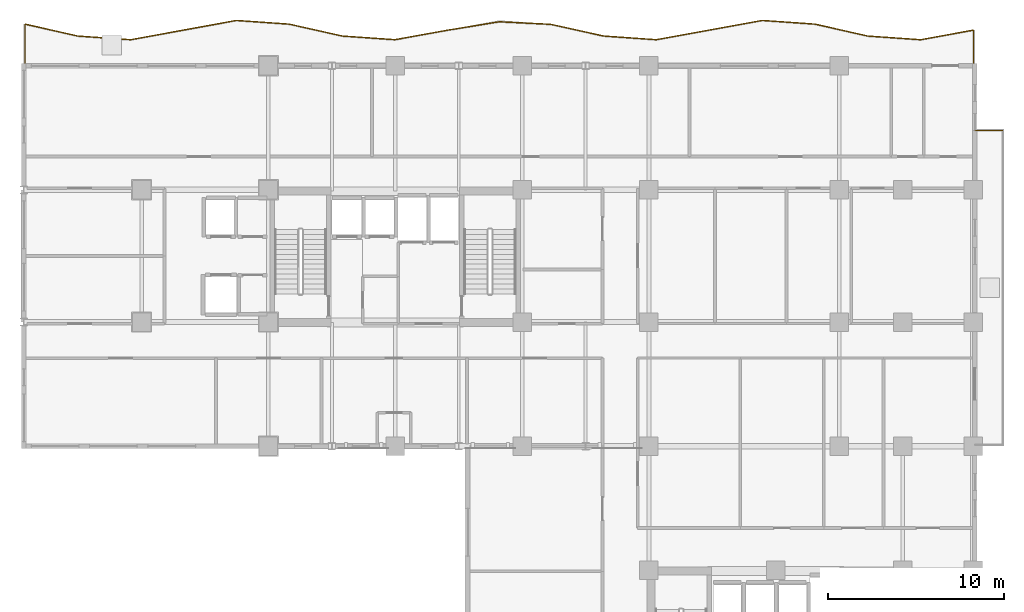
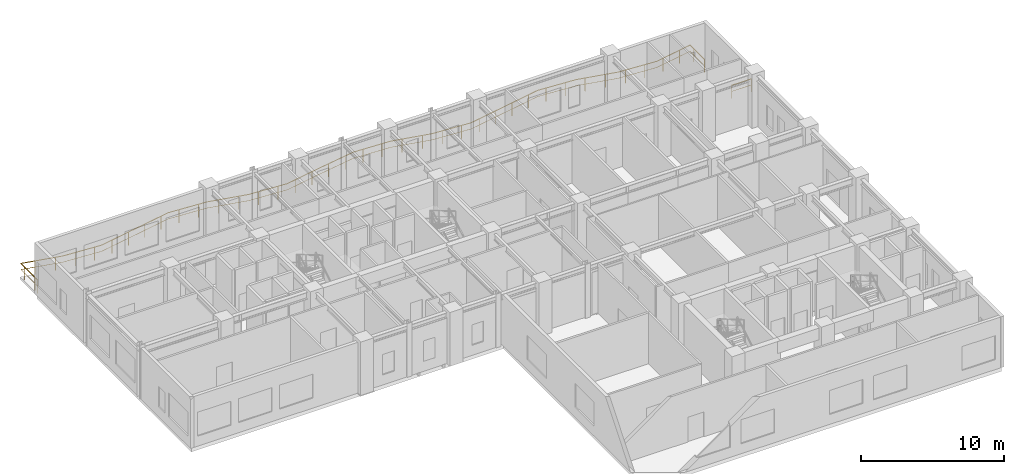
# One storey, part 14 of 14: 2 railings.
"""IFC4 building model written with IfcOpenShell, lengths in metres."""

from ifc_helpers import new_model, si_unit, direction, frame, origin, origin_2d, place, context, subcontext, project, spatial, rectangle, extrude, material, type_object, element, save


model = new_model("IFC4")

# Units and contexts
model_context = context("Model", 3, precision=1e-05, world=origin(), true_north=direction((0.0, 1.0)))
body_context = subcontext(model_context, "Body", "Model", "MODEL_VIEW")
ifc_project = project(units=[si_unit("LENGTHUNIT", "METRE"), si_unit("AREAUNIT", "SQUARE_METRE"), si_unit("VOLUMEUNIT", "CUBIC_METRE"), si_unit("PLANEANGLEUNIT", "RADIAN"), si_unit("MASSUNIT", "GRAM", prefix="KILO")], contexts=[model_context])

# Site, building, storey
site_placement = place(None, origin())
site = spatial("IfcSite", under=ifc_project, at=site_placement, CompositionType="ELEMENT")
building_placement = place(site_placement, origin())
building = spatial("IfcBuilding", under=site, at=building_placement, Name="Kaliganga Portal Commons", CompositionType="ELEMENT")
storey_placement = place(building_placement, frame((0.0, 0.0, 135.60009765625)))
storey = spatial("IfcBuildingStorey", under=building, at=storey_placement, Name="L34", CompositionType="ELEMENT", Elevation=135.60009765625)

# Railings
ifc_material = material(Name="Laminated Safety Glass and Stainless Steel 316", Category="steel")
railing_type = type_object("IfcRailingType", Name="RLG-BAL-1150", PredefinedType="BALUSTRADE", material=ifc_material)
railing_1_placement = place(storey_placement, frame((54.420166015625, 43.205322265625, 0.0)))
element("IfcRailing", 1, at=railing_1_placement, inside=storey, type_object=railing_type, Name="Balcony Guardrail L34 balc_north", PredefinedType="BALUSTRADE", context=body_context, shape_type="SweptSolid", body=[
    extrude(rectangle(XDim=0.048095703125, YDim=0.048095703125, at=origin_2d()), frame((0.0, 0.0, 1.1259765625), z_axis=(-0.00012112403, 0.999999992664, 0.0), x_axis=(-0.999999992664, -0.00012112403, 0.0)), (0.0, 0.0, 1.0), 2.015625),
    extrude(rectangle(XDim=0.028076171875, YDim=0.028076171875, at=origin_2d()), frame((0.0, 0.0, 0.597900390625), z_axis=(-0.00012112403, 0.999999992664, 0.0), x_axis=(-0.999999992664, -0.00012112403, 0.0)), (0.0, 0.0, 1.0), 2.015625),
    extrude(rectangle(XDim=0.048095703125, YDim=0.048095703125, at=origin_2d()), frame((-0.000244140625, 2.015625, 1.1259765625), z_axis=(-0.983688809577, -0.179878642181, 0.0), x_axis=(0.179878642181, -0.983688809577, 0.0)), (0.0, 0.0, 1.0), 3.0498046875),
    extrude(rectangle(XDim=0.028076171875, YDim=0.028076171875, at=origin_2d()), frame((-0.000244140625, 2.015625, 0.597900390625), z_axis=(-0.983688809577, -0.179878642181, 0.0), x_axis=(0.179878642181, -0.983688809577, 0.0)), (0.0, 0.0, 1.0), 3.0498046875),
    extrude(rectangle(XDim=0.048095703125, YDim=0.048095703125, at=origin_2d()), frame((-3.000244140625, 1.467041015625, 1.1259765625), z_axis=(-0.997571166828, 0.069654627371, 0.0), x_axis=(-0.069654627371, -0.997571166828, 0.0)), (0.0, 0.0, 1.0), 3.00732421875),
    extrude(rectangle(XDim=0.028076171875, YDim=0.028076171875, at=origin_2d()), frame((-3.000244140625, 1.467041015625, 0.597900390625), z_axis=(-0.997571166828, 0.069654627371, 0.0), x_axis=(-0.069654627371, -0.997571166828, 0.0)), (0.0, 0.0, 1.0), 3.00732421875),
    extrude(rectangle(XDim=0.048095703125, YDim=0.048095703125, at=origin_2d()), frame((-6.000244140625, 1.676513671875, 1.1259765625), z_axis=(-0.975453104473, 0.220207268214, 0.0), x_axis=(-0.220207268214, -0.975453104473, 0.0)), (0.0, 0.0, 1.0), 3.075439453125),
    extrude(rectangle(XDim=0.028076171875, YDim=0.028076171875, at=origin_2d()), frame((-6.000244140625, 1.676513671875, 0.597900390625), z_axis=(-0.975453104473, 0.220207268214, 0.0), x_axis=(-0.220207268214, -0.975453104473, 0.0)), (0.0, 0.0, 1.0), 3.075439453125),
    extrude(rectangle(XDim=0.048095703125, YDim=0.048095703125, at=origin_2d()), frame((-9.000244140625, 2.353759765625, 1.1259765625), z_axis=(-0.997593288727, 0.069337077283, 0.0), x_axis=(-0.069337077283, -0.997593288727, 0.0)), (0.0, 0.0, 1.0), 3.007080078125),
    extrude(rectangle(XDim=0.028076171875, YDim=0.028076171875, at=origin_2d()), frame((-9.000244140625, 2.353759765625, 0.597900390625), z_axis=(-0.997593288727, 0.069337077283, 0.0), x_axis=(-0.069337077283, -0.997593288727, 0.0)), (0.0, 0.0, 1.0), 3.007080078125),
    extrude(rectangle(XDim=0.048095703125, YDim=0.048095703125, at=origin_2d()), frame((-12.0, 2.562255859375, 1.1259765625), z_axis=(-0.98374800482, -0.179554624039, 0.0), x_axis=(0.179554624039, -0.98374800482, 0.0)), (0.0, 0.0, 1.0), 3.0498046875),
    extrude(rectangle(XDim=0.028076171875, YDim=0.028076171875, at=origin_2d()), frame((-12.0, 2.562255859375, 0.597900390625), z_axis=(-0.98374800482, -0.179554624039, 0.0), x_axis=(0.179554624039, -0.98374800482, 0.0)), (0.0, 0.0, 1.0), 3.0498046875),
    extrude(rectangle(XDim=0.048095703125, YDim=0.048095703125, at=origin_2d()), frame((-15.000244140625, 2.0146484375, 1.1259765625), z_axis=(-0.983841712628, -0.179040454907, 0.0), x_axis=(0.179040454907, -0.983841712628, 0.0)), (0.0, 0.0, 1.0), 3.049072265625),
    extrude(rectangle(XDim=0.028076171875, YDim=0.028076171875, at=origin_2d()), frame((-15.000244140625, 2.0146484375, 0.597900390625), z_axis=(-0.983841712628, -0.179040454907, 0.0), x_axis=(0.179040454907, -0.983841712628, 0.0)), (0.0, 0.0, 1.0), 3.049072265625),
    extrude(rectangle(XDim=0.048095703125, YDim=0.048095703125, at=origin_2d()), frame((-18.0, 1.46875, 1.1259765625), z_axis=(-0.997582827891, 0.069487419699, 0.0), x_axis=(-0.069487419699, -0.997582827891, 0.0)), (0.0, 0.0, 1.0), 3.007568359375),
    extrude(rectangle(XDim=0.028076171875, YDim=0.028076171875, at=origin_2d()), frame((-18.0, 1.46875, 0.597900390625), z_axis=(-0.997582827891, 0.069487419699, 0.0), x_axis=(-0.069487419699, -0.997582827891, 0.0)), (0.0, 0.0, 1.0), 3.007568359375),
    extrude(rectangle(XDim=0.048095703125, YDim=0.048095703125, at=origin_2d()), frame((-21.000244140625, 1.677734375, 1.1259765625), z_axis=(-0.976360700645, 0.216147593637, 0.0), x_axis=(-0.216147593637, -0.976360700645, 0.0)), (0.0, 0.0, 1.0), 3.071044921875),
    extrude(rectangle(XDim=0.028076171875, YDim=0.028076171875, at=origin_2d()), frame((-21.000244140625, 1.677734375, 0.597900390625), z_axis=(-0.976360700645, 0.216147593637, 0.0), x_axis=(-0.216147593637, -0.976360700645, 0.0)), (0.0, 0.0, 1.0), 3.071044921875),
    extrude(rectangle(XDim=0.048095703125, YDim=0.048095703125, at=origin_2d()), frame((-23.998779296875, 2.341552734375, 1.1259765625), z_axis=(-0.998774305171, 0.049496336534, 0.0), x_axis=(-0.049496336534, -0.998774305171, 0.0)), (0.0, 0.0, 1.0), 2.925048828125),
    extrude(rectangle(XDim=0.028076171875, YDim=0.028076171875, at=origin_2d()), frame((-23.998779296875, 2.341552734375, 0.597900390625), z_axis=(-0.998774305171, 0.049496336534, 0.0), x_axis=(-0.049496336534, -0.998774305171, 0.0)), (0.0, 0.0, 1.0), 2.925048828125),
    extrude(rectangle(XDim=0.048095703125, YDim=0.048095703125, at=origin_2d()), frame((-26.920166015625, 2.486328125, 1.1259765625), z_axis=(-0.986982912244, -0.160825156422, 0.0), x_axis=(0.160825156422, -0.986982912244, 0.0)), (0.0, 0.0, 1.0), 2.958740234375),
    extrude(rectangle(XDim=0.028076171875, YDim=0.028076171875, at=origin_2d()), frame((-26.920166015625, 2.486328125, 0.597900390625), z_axis=(-0.986982912244, -0.160825156422, 0.0), x_axis=(0.160825156422, -0.986982912244, 0.0)), (0.0, 0.0, 1.0), 2.958740234375),
    extrude(rectangle(XDim=0.048095703125, YDim=0.048095703125, at=origin_2d()), frame((-29.84033203125, 2.010498046875, 1.1259765625), z_axis=(-0.984167121533, -0.177242988277, 0.0), x_axis=(0.177242988277, -0.984167121533, 0.0)), (0.0, 0.0, 1.0), 3.04833984375),
    extrude(rectangle(XDim=0.028076171875, YDim=0.028076171875, at=origin_2d()), frame((-29.84033203125, 2.010498046875, 0.597900390625), z_axis=(-0.984167121533, -0.177242988277, 0.0), x_axis=(0.177242988277, -0.984167121533, 0.0)), (0.0, 0.0, 1.0), 3.04833984375),
    extrude(rectangle(XDim=0.048095703125, YDim=0.048095703125, at=origin_2d()), frame((-32.84033203125, 1.47021484375, 1.1259765625), z_axis=(-0.997626868023, 0.06885224905, 0.0), x_axis=(-0.06885224905, -0.997626868023, 0.0)), (0.0, 0.0, 1.0), 3.0068359375),
    extrude(rectangle(XDim=0.028076171875, YDim=0.028076171875, at=origin_2d()), frame((-32.84033203125, 1.47021484375, 0.597900390625), z_axis=(-0.997626868023, 0.06885224905, 0.0), x_axis=(-0.06885224905, -0.997626868023, 0.0)), (0.0, 0.0, 1.0), 3.0068359375),
    extrude(rectangle(XDim=0.048095703125, YDim=0.048095703125, at=origin_2d()), frame((-35.840087890625, 1.67724609375, 1.1259765625), z_axis=(-0.975593176863, 0.219585867622, 0.0), x_axis=(-0.219585867622, -0.975593176863, 0.0)), (0.0, 0.0, 1.0), 3.0751953125),
    extrude(rectangle(XDim=0.028076171875, YDim=0.028076171875, at=origin_2d()), frame((-35.840087890625, 1.67724609375, 0.597900390625), z_axis=(-0.975593176863, 0.219585867622, 0.0), x_axis=(-0.219585867622, -0.975593176863, 0.0)), (0.0, 0.0, 1.0), 3.0751953125),
    extrude(rectangle(XDim=0.048095703125, YDim=0.048095703125, at=origin_2d()), frame((-38.84033203125, 2.3525390625, 1.1259765625), z_axis=(-0.997565522582, 0.069735415356, 0.0), x_axis=(-0.069735415356, -0.997565522582, 0.0)), (0.0, 0.0, 1.0), 3.00732421875),
    extrude(rectangle(XDim=0.028076171875, YDim=0.028076171875, at=origin_2d()), frame((-38.84033203125, 2.3525390625, 0.597900390625), z_axis=(-0.997565522582, 0.069735415356, 0.0), x_axis=(-0.069735415356, -0.997565522582, 0.0)), (0.0, 0.0, 1.0), 3.00732421875),
    extrude(rectangle(XDim=0.048095703125, YDim=0.048095703125, at=origin_2d()), frame((-41.84033203125, 2.562255859375, 1.1259765625), z_axis=(-0.983771119189, -0.179427938317, 0.0), x_axis=(0.179427938317, -0.983771119189, 0.0)), (0.0, 0.0, 1.0), 3.04931640625),
    extrude(rectangle(XDim=0.028076171875, YDim=0.028076171875, at=origin_2d()), frame((-41.84033203125, 2.562255859375, 0.597900390625), z_axis=(-0.983771119189, -0.179427938317, 0.0), x_axis=(0.179427938317, -0.983771119189, 0.0)), (0.0, 0.0, 1.0), 3.04931640625),
    extrude(rectangle(XDim=0.048095703125, YDim=0.048095703125, at=origin_2d()), frame((-44.840087890625, 2.01513671875, 1.1259765625), z_axis=(-0.983731278693, -0.179646239371, 0.0), x_axis=(0.179646239371, -0.983731278693, 0.0)), (0.0, 0.0, 1.0), 3.049560546875),
    extrude(rectangle(XDim=0.028076171875, YDim=0.028076171875, at=origin_2d()), frame((-44.840087890625, 2.01513671875, 0.597900390625), z_axis=(-0.983731278693, -0.179646239371, 0.0), x_axis=(0.179646239371, -0.983731278693, 0.0)), (0.0, 0.0, 1.0), 3.049560546875),
    extrude(rectangle(XDim=0.048095703125, YDim=0.048095703125, at=origin_2d()), frame((-47.840087890625, 1.46728515625, 1.1259765625), z_axis=(-0.997576804594, 0.069573838016, 0.0), x_axis=(-0.069573838016, -0.997576804594, 0.0)), (0.0, 0.0, 1.0), 3.00732421875),
    extrude(rectangle(XDim=0.028076171875, YDim=0.028076171875, at=origin_2d()), frame((-47.840087890625, 1.46728515625, 0.597900390625), z_axis=(-0.997576804594, 0.069573838016, 0.0), x_axis=(-0.069573838016, -0.997576804594, 0.0)), (0.0, 0.0, 1.0), 3.00732421875),
    extrude(rectangle(XDim=0.048095703125, YDim=0.048095703125, at=origin_2d()), frame((-50.840087890625, 1.676513671875, 1.1259765625), z_axis=(-0.975401926264, 0.220433850035, 0.0), x_axis=(-0.220433850035, -0.975401926264, 0.0)), (0.0, 0.0, 1.0), 3.07568359375),
    extrude(rectangle(XDim=0.028076171875, YDim=0.028076171875, at=origin_2d()), frame((-50.840087890625, 1.676513671875, 0.597900390625), z_axis=(-0.975401926264, 0.220433850035, 0.0), x_axis=(-0.220433850035, -0.975401926264, 0.0)), (0.0, 0.0, 1.0), 3.07568359375),
    extrude(rectangle(XDim=0.048095703125, YDim=0.048095703125, at=origin_2d()), frame((-53.840087890625, 2.3544921875, 1.1259765625), z_axis=(-0.000103691414, -0.999999994624, 0.0), x_axis=(0.999999994624, -0.000103691414, 0.0)), (0.0, 0.0, 1.0), 2.3544921875),
    extrude(rectangle(XDim=0.028076171875, YDim=0.028076171875, at=origin_2d()), frame((-53.840087890625, 2.3544921875, 0.597900390625), z_axis=(-0.000103691414, -0.999999994624, 0.0), x_axis=(0.999999994624, -0.000103691414, 0.0)), (0.0, 0.0, 1.0), 2.3544921875),
    extrude(rectangle(XDim=0.0419921875, YDim=0.0419921875, at=origin_2d()), origin(), (0.0, 0.0, 1.0), 1.101806640625),
    extrude(rectangle(XDim=0.0419921875, YDim=0.0419921875, at=origin_2d()), frame((-0.000244140625, 1.5, 0.0)), (0.0, 0.0, 1.0), 1.101806640625),
    extrude(rectangle(XDim=0.0419921875, YDim=0.0419921875, at=origin_2d()), frame((-0.968505859375, 1.838623046875, 0.0)), (0.0, 0.0, 1.0), 1.101806640625),
    extrude(rectangle(XDim=0.0419921875, YDim=0.0419921875, at=origin_2d()), frame((-2.444091796875, 1.56884765625, 0.0)), (0.0, 0.0, 1.0), 1.101806640625),
    extrude(rectangle(XDim=0.0419921875, YDim=0.0419921875, at=origin_2d()), frame((-3.9326171875, 1.5322265625, 0.0)), (0.0, 0.0, 1.0), 1.101806640625),
    extrude(rectangle(XDim=0.0419921875, YDim=0.0419921875, at=origin_2d()), frame((-5.428955078125, 1.63671875, 0.0)), (0.0, 0.0, 1.0), 1.101806640625),
    extrude(rectangle(XDim=0.0419921875, YDim=0.0419921875, at=origin_2d()), frame((-6.90478515625, 1.880615234375, 0.0)), (0.0, 0.0, 1.0), 1.101806640625),
    extrude(rectangle(XDim=0.0419921875, YDim=0.0419921875, at=origin_2d()), frame((-8.367919921875, 2.2109375, 0.0)), (0.0, 0.0, 1.0), 1.101806640625),
    extrude(rectangle(XDim=0.0419921875, YDim=0.0419921875, at=origin_2d()), frame((-9.85009765625, 2.412841796875, 0.0)), (0.0, 0.0, 1.0), 1.101806640625),
    extrude(rectangle(XDim=0.0419921875, YDim=0.0419921875, at=origin_2d()), frame((-11.346435546875, 2.516845703125, 0.0)), (0.0, 0.0, 1.0), 1.101806640625),
    extrude(rectangle(XDim=0.0419921875, YDim=0.0419921875, at=origin_2d()), frame((-12.8310546875, 2.41064453125, 0.0)), (0.0, 0.0, 1.0), 1.101806640625),
    extrude(rectangle(XDim=0.0419921875, YDim=0.0419921875, at=origin_2d()), frame((-14.306640625, 2.14111328125, 0.0)), (0.0, 0.0, 1.0), 1.101806640625),
    extrude(rectangle(XDim=0.0419921875, YDim=0.0419921875, at=origin_2d()), frame((-15.782470703125, 1.872314453125, 0.0)), (0.0, 0.0, 1.0), 1.101806640625),
    extrude(rectangle(XDim=0.0419921875, YDim=0.0419921875, at=origin_2d()), frame((-17.25830078125, 1.603759765625, 0.0)), (0.0, 0.0, 1.0), 1.101806640625),
    extrude(rectangle(XDim=0.0419921875, YDim=0.0419921875, at=origin_2d()), frame((-18.744140625, 1.5205078125, 0.0)), (0.0, 0.0, 1.0), 1.101806640625),
    extrude(rectangle(XDim=0.0419921875, YDim=0.0419921875, at=origin_2d()), frame((-20.240478515625, 1.624755859375, 0.0)), (0.0, 0.0, 1.0), 1.101806640625),
    extrude(rectangle(XDim=0.0419921875, YDim=0.0419921875, at=origin_2d()), frame((-21.72119140625, 1.83740234375, 0.0)), (0.0, 0.0, 1.0), 1.101806640625),
    extrude(rectangle(XDim=0.0419921875, YDim=0.0419921875, at=origin_2d()), frame((-23.185791015625, 2.16162109375, 0.0)), (0.0, 0.0, 1.0), 1.101806640625),
    extrude(rectangle(XDim=0.0419921875, YDim=0.0419921875, at=origin_2d()), frame((-24.665283203125, 2.37451171875, 0.0)), (0.0, 0.0, 1.0), 1.101806640625),
    extrude(rectangle(XDim=0.0419921875, YDim=0.0419921875, at=origin_2d()), frame((-26.16357421875, 2.44873046875, 0.0)), (0.0, 0.0, 1.0), 1.101806640625),
    extrude(rectangle(XDim=0.0419921875, YDim=0.0419921875, at=origin_2d()), frame((-27.65283203125, 2.366943359375, 0.0)), (0.0, 0.0, 1.0), 1.101806640625),
    extrude(rectangle(XDim=0.0419921875, YDim=0.0419921875, at=origin_2d()), frame((-29.13330078125, 2.125732421875, 0.0)), (0.0, 0.0, 1.0), 1.101806640625),
    extrude(rectangle(XDim=0.0419921875, YDim=0.0419921875, at=origin_2d()), frame((-30.611572265625, 1.87158203125, 0.0)), (0.0, 0.0, 1.0), 1.101806640625),
    extrude(rectangle(XDim=0.0419921875, YDim=0.0419921875, at=origin_2d()), frame((-32.087890625, 1.605712890625, 0.0)), (0.0, 0.0, 1.0), 1.101806640625),
    extrude(rectangle(XDim=0.0419921875, YDim=0.0419921875, at=origin_2d()), frame((-33.573974609375, 1.520751953125, 0.0)), (0.0, 0.0, 1.0), 1.101806640625),
    extrude(rectangle(XDim=0.0419921875, YDim=0.0419921875, at=origin_2d()), frame((-35.070556640625, 1.6240234375, 0.0)), (0.0, 0.0, 1.0), 1.101806640625),
    extrude(rectangle(XDim=0.0419921875, YDim=0.0419921875, at=origin_2d()), frame((-36.55078125, 1.837158203125, 0.0)), (0.0, 0.0, 1.0), 1.101806640625),
    extrude(rectangle(XDim=0.0419921875, YDim=0.0419921875, at=origin_2d()), frame((-38.01416015625, 2.16650390625, 0.0)), (0.0, 0.0, 1.0), 1.101806640625),
    extrude(rectangle(XDim=0.0419921875, YDim=0.0419921875, at=origin_2d()), frame((-39.491943359375, 2.398193359375, 0.0)), (0.0, 0.0, 1.0), 1.101806640625),
    extrude(rectangle(XDim=0.0419921875, YDim=0.0419921875, at=origin_2d()), frame((-40.98828125, 2.502685546875, 0.0)), (0.0, 0.0, 1.0), 1.101806640625),
    extrude(rectangle(XDim=0.0419921875, YDim=0.0419921875, at=origin_2d()), frame((-42.475830078125, 2.4462890625, 0.0)), (0.0, 0.0, 1.0), 1.101806640625),
    extrude(rectangle(XDim=0.0419921875, YDim=0.0419921875, at=origin_2d()), frame((-43.951416015625, 2.17724609375, 0.0)), (0.0, 0.0, 1.0), 1.101806640625),
    extrude(rectangle(XDim=0.0419921875, YDim=0.0419921875, at=origin_2d()), frame((-45.427001953125, 1.907958984375, 0.0)), (0.0, 0.0, 1.0), 1.101806640625),
    extrude(rectangle(XDim=0.0419921875, YDim=0.0419921875, at=origin_2d()), frame((-46.902587890625, 1.638427734375, 0.0)), (0.0, 0.0, 1.0), 1.101806640625),
    extrude(rectangle(XDim=0.0419921875, YDim=0.0419921875, at=origin_2d()), frame((-48.3857421875, 1.50537109375, 0.0)), (0.0, 0.0, 1.0), 1.101806640625),
    extrude(rectangle(XDim=0.0419921875, YDim=0.0419921875, at=origin_2d()), frame((-49.882080078125, 1.609619140625, 0.0)), (0.0, 0.0, 1.0), 1.101806640625),
    extrude(rectangle(XDim=0.0419921875, YDim=0.0419921875, at=origin_2d()), frame((-51.36669921875, 1.79541015625, 0.0)), (0.0, 0.0, 1.0), 1.101806640625),
    extrude(rectangle(XDim=0.0419921875, YDim=0.0419921875, at=origin_2d()), frame((-52.82958984375, 2.126220703125, 0.0)), (0.0, 0.0, 1.0), 1.101806640625),
    extrude(rectangle(XDim=0.0419921875, YDim=0.0419921875, at=origin_2d()), frame((-53.840087890625, 1.890380859375, 0.0)), (0.0, 0.0, 1.0), 1.101806640625),
    extrude(rectangle(XDim=0.0419921875, YDim=0.0419921875, at=origin_2d()), frame((-53.84033203125, 0.390380859375, 0.0)), (0.0, 0.0, 1.0), 1.101806640625),
    extrude(rectangle(XDim=0.0419921875, YDim=0.0419921875, at=origin_2d()), frame((-53.84033203125, 0.0, 0.0)), (0.0, 0.0, 1.0), 1.101806640625),
])
railing_2_placement = place(storey_placement, frame((56.070068359375, 39.52001953125, 0.0)))
element("IfcRailing", 2, at=railing_2_placement, inside=storey, type_object=railing_type, Name="Terrace Guardrail L34 skygarden_l34-03-1", PredefinedType="BALUSTRADE", context=body_context, shape_type="SweptSolid", body=[
    extrude(rectangle(XDim=0.048095703125, YDim=0.048095703125, at=origin_2d()), frame((0.0, 0.0, 1.1259765625), z_axis=(-1.0, 0.0, 0.0), x_axis=(0.0, -1.0, 0.0)), (0.0, 0.0, 1.0), 1.570068359375),
    extrude(rectangle(XDim=0.028076171875, YDim=0.028076171875, at=origin_2d()), frame((0.0, 0.0, 0.597900390625), z_axis=(-1.0, 0.0, 0.0), x_axis=(0.0, -1.0, 0.0)), (0.0, 0.0, 1.0), 1.570068359375),
    extrude(rectangle(XDim=0.0419921875, YDim=0.0419921875, at=origin_2d()), origin(), (0.0, 0.0, 1.0), 1.101806640625),
    extrude(rectangle(XDim=0.0419921875, YDim=0.0419921875, at=origin_2d()), frame((-1.570068359375, 0.0, 0.0)), (0.0, 0.0, 1.0), 1.101806640625),
])

save(model, "model.ifc")
